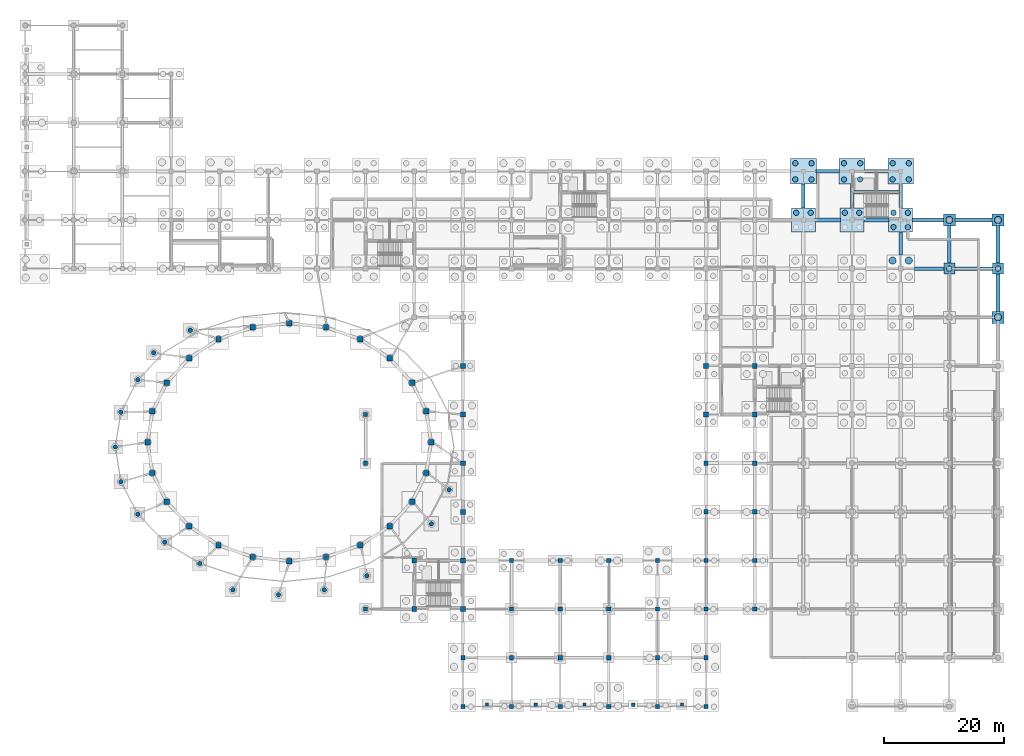
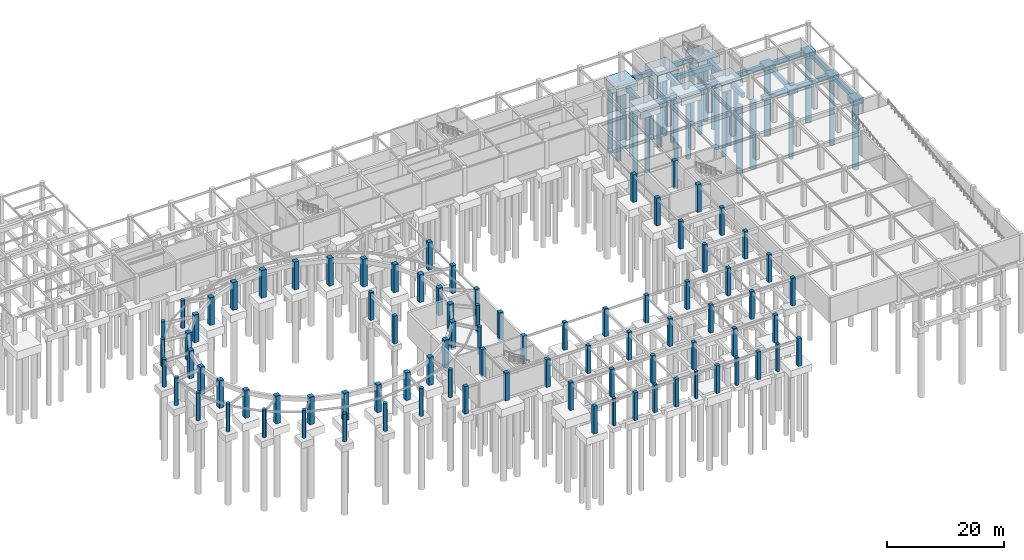
# One storey, part 8 of 26: 87 columns, 27 footings, 27 piles.
"""IFC4 building model written with IfcOpenShell, lengths in metres."""

from ifc_helpers import new_model, si_unit, direction, frame, origin, origin_2d, place, context, subcontext, project, spatial, rectangle, circle, extrude, material, material_profile, profile_set, type_object, element, save


model = new_model("IFC4")

# Units and contexts
model_context = context("Model", 3, precision=1e-05, world=origin(), true_north=direction((0.0, 1.0)))
body_context = subcontext(model_context, "Body", "Model", "MODEL_VIEW")
ifc_project = project(units=[si_unit("LENGTHUNIT", "METRE"), si_unit("AREAUNIT", "SQUARE_METRE"), si_unit("VOLUMEUNIT", "CUBIC_METRE"), si_unit("PLANEANGLEUNIT", "RADIAN"), si_unit("MASSUNIT", "GRAM", prefix="KILO")], contexts=[model_context])

# Site, building, storey
site_placement = place(None, origin())
site = spatial("IfcSite", under=ifc_project, at=site_placement, CompositionType="ELEMENT")
building_placement = place(site_placement, origin())
building = spatial("IfcBuilding", under=site, at=building_placement, Name="Parian Resonance Hall", CompositionType="ELEMENT")
storey_placement = place(building_placement, frame((0.0, 0.0, -5.39990234375)))
storey = spatial("IfcBuildingStorey", under=building, at=storey_placement, Name="B1", CompositionType="ELEMENT", Elevation=-5.39990234375)

# Footings
ifc_material_1 = material(Name="Concrete C35/45", Category="concrete")
ifc_material_profile_1 = material_profile(ifc_material_1, rectangle(XDim=0.60009765625, YDim=0.89990234375, at=origin_2d()), Name="RC-GB-600x900")
ifc_profile_set_1 = profile_set([ifc_material_profile_1], Name="Concrete C35/45")
footing_type_1 = type_object("IfcFootingType", Name="GB-600x900", PredefinedType="FOOTING_BEAM", material=ifc_profile_set_1)
footing_1_placement = place(storey_placement, frame((131.56005859375, 81.0, -0.85009765625), z_axis=(1.0, 0.0, 0.0), x_axis=(0.0, 1.0, 0.0)))
element("IfcFooting", 1, at=footing_1_placement, inside=storey, type_object=footing_type_1, Name="Foundation tie beam B1-180", PredefinedType="FOOTING_BEAM", context=body_context, shape_type="SweptSolid", body=[
    extrude(rectangle(XDim=0.60009765625, YDim=0.89990234375, at=origin_2d()), origin(), (0.0, 0.0, 1.0), 4.179931640625),
])
footing_2_placement = place(storey_placement, frame((129.60009765625, 82.9599609375, -0.85009765625), z_axis=(0.0, 1.0, 0.0), x_axis=(-1.0, 0.0, 0.0)))
element("IfcFooting", 2, at=footing_2_placement, inside=storey, type_object=footing_type_1, Name="Foundation tie beam B1-181", PredefinedType="FOOTING_BEAM", context=body_context, shape_type="SweptSolid", body=[
    extrude(rectangle(XDim=0.60009765625, YDim=0.89990234375, at=origin_2d()), origin(), (0.0, 0.0, 1.0), 4.030029296875),
])
footing_3_placement = place(storey_placement, frame((131.7099609375, 89.10009765625, -0.85009765625), z_axis=(1.0, 0.0, 0.0), x_axis=(0.0, 1.0, 0.0)))
element("IfcFooting", 3, at=footing_3_placement, inside=storey, type_object=footing_type_1, Name="Foundation tie beam B1-182", PredefinedType="FOOTING_BEAM", context=body_context, shape_type="SweptSolid", body=[
    extrude(rectangle(XDim=0.60009765625, YDim=0.89990234375, at=origin_2d()), origin(), (0.0, 0.0, 1.0), 3.880126953125),
])
footing_4_placement = place(storey_placement, frame((139.659912109375, 81.0, -0.85009765625), z_axis=(1.0, 0.0, 0.0), x_axis=(0.0, 1.0, 0.0)))
element("IfcFooting", 4, at=footing_4_placement, inside=storey, type_object=footing_type_1, Name="Foundation tie beam B1-202", PredefinedType="FOOTING_BEAM", context=body_context, shape_type="SweptSolid", body=[
    extrude(rectangle(XDim=0.60009765625, YDim=0.89990234375, at=origin_2d()), origin(), (0.0, 0.0, 1.0), 4.18017578125),
])
footing_5_placement = place(storey_placement, frame((137.699951171875, 82.9599609375, -0.85009765625), z_axis=(0.0, 1.0, 0.0), x_axis=(-1.0, 0.0, 0.0)))
element("IfcFooting", 5, at=footing_5_placement, inside=storey, type_object=footing_type_1, Name="Foundation tie beam B1-203", PredefinedType="FOOTING_BEAM", context=body_context, shape_type="SweptSolid", body=[
    extrude(rectangle(XDim=0.60009765625, YDim=0.89990234375, at=origin_2d()), origin(), (0.0, 0.0, 1.0), 4.030029296875),
])
footing_6_placement = place(storey_placement, frame((139.81005859375, 89.10009765625, -0.85009765625), z_axis=(1.0, 0.0, 0.0), x_axis=(0.0, 1.0, 0.0)))
element("IfcFooting", 6, at=footing_6_placement, inside=storey, type_object=footing_type_1, Name="Foundation tie beam B1-204", PredefinedType="FOOTING_BEAM", context=body_context, shape_type="SweptSolid", body=[
    extrude(rectangle(XDim=0.60009765625, YDim=0.89990234375, at=origin_2d()), origin(), (0.0, 0.0, 1.0), 3.8798828125),
])
footing_7_placement = place(storey_placement, frame((148.06005859375, 72.89990234375, -0.85009765625), z_axis=(1.0, 0.0, 0.0), x_axis=(0.0, 1.0, 0.0)))
element("IfcFooting", 7, at=footing_7_placement, inside=storey, type_object=footing_type_1, Name="Foundation tie beam B1-222", PredefinedType="FOOTING_BEAM", context=body_context, shape_type="SweptSolid", body=[
    extrude(rectangle(XDim=0.60009765625, YDim=0.89990234375, at=origin_2d()), origin(), (0.0, 0.0, 1.0), 4.97998046875),
])
footing_8_placement = place(storey_placement, frame((145.800048828125, 75.159912109375, -0.85009765625), z_axis=(0.0, 1.0, 0.0), x_axis=(-1.0, 0.0, 0.0)))
element("IfcFooting", 8, at=footing_8_placement, inside=storey, type_object=footing_type_1, Name="Foundation tie beam B1-223", PredefinedType="FOOTING_BEAM", context=body_context, shape_type="SweptSolid", body=[
    extrude(rectangle(XDim=0.60009765625, YDim=0.89990234375, at=origin_2d()), origin(), (0.0, 0.0, 1.0), 3.880126953125),
])
footing_9_placement = place(storey_placement, frame((147.760009765625, 81.0, -0.85009765625), z_axis=(1.0, 0.0, 0.0), x_axis=(0.0, 1.0, 0.0)))
element("IfcFooting", 9, at=footing_9_placement, inside=storey, type_object=footing_type_1, Name="Foundation tie beam B1-224", PredefinedType="FOOTING_BEAM", context=body_context, shape_type="SweptSolid", body=[
    extrude(rectangle(XDim=0.60009765625, YDim=0.89990234375, at=origin_2d()), origin(), (0.0, 0.0, 1.0), 5.179931640625),
])
footing_10_placement = place(storey_placement, frame((145.800048828125, 82.9599609375, -0.85009765625), z_axis=(0.0, 1.0, 0.0), x_axis=(-1.0, 0.0, 0.0)))
element("IfcFooting", 10, at=footing_10_placement, inside=storey, type_object=footing_type_1, Name="Foundation tie beam B1-225", PredefinedType="FOOTING_BEAM", context=body_context, shape_type="SweptSolid", body=[
    extrude(rectangle(XDim=0.60009765625, YDim=0.89990234375, at=origin_2d()), origin(), (0.0, 0.0, 1.0), 4.030029296875),
])
footing_11_placement = place(storey_placement, frame((154.760009765625, 72.89990234375, -0.85009765625), z_axis=(1.0, 0.0, 0.0), x_axis=(0.0, 1.0, 0.0)))
element("IfcFooting", 11, at=footing_11_placement, inside=storey, type_object=footing_type_1, Name="Foundation tie beam B1-242", PredefinedType="FOOTING_BEAM", context=body_context, shape_type="SweptSolid", body=[
    extrude(rectangle(XDim=0.60009765625, YDim=0.89990234375, at=origin_2d()), origin(), (0.0, 0.0, 1.0), 6.3798828125),
])
footing_12_placement = place(storey_placement, frame((153.89990234375, 73.760009765625, -0.85009765625), z_axis=(0.0, 1.0, 0.0), x_axis=(-1.0, 0.0, 0.0)))
element("IfcFooting", 12, at=footing_12_placement, inside=storey, type_object=footing_type_1, Name="Foundation tie beam B1-243", PredefinedType="FOOTING_BEAM", context=body_context, shape_type="SweptSolid", body=[
    extrude(rectangle(XDim=0.60009765625, YDim=0.89990234375, at=origin_2d()), origin(), (0.0, 0.0, 1.0), 6.280029296875),
])
footing_13_placement = place(storey_placement, frame((154.860107421875, 81.0, -0.85009765625), z_axis=(1.0, 0.0, 0.0), x_axis=(0.0, 1.0, 0.0)))
element("IfcFooting", 13, at=footing_13_placement, inside=storey, type_object=footing_type_1, Name="Foundation tie beam B1-244", PredefinedType="FOOTING_BEAM", context=body_context, shape_type="SweptSolid", body=[
    extrude(rectangle(XDim=0.60009765625, YDim=0.89990234375, at=origin_2d()), origin(), (0.0, 0.0, 1.0), 6.179931640625),
])
for number, where, z_axis, x_axis, name in (
    (14, (162.0, 65.760009765625, -0.85009765625), (0.0, 1.0, 0.0), (-1.0, 0.0, 0.0), "Foundation tie beam B1-252"),
    (15, (162.0, 73.760009765625, -0.85009765625), (0.0, 1.0, 0.0), (-1.0, 0.0, 0.0), "Foundation tie beam B1-253"),
):
    element("IfcFooting", number, at=place(storey_placement, frame(where, z_axis=z_axis, x_axis=x_axis)), inside=storey, type_object=footing_type_1, Name=name, PredefinedType="FOOTING_BEAM", context=body_context, shape_type="SweptSolid", body=[
        extrude(rectangle(XDim=0.60009765625, YDim=0.89990234375, at=origin_2d()), origin(), (0.0, 0.0, 1.0), 6.280029296875),
    ])
footing_14_placement = place(storey_placement, frame((137.699951171875, 85.610107421875, -0.85009765625), z_axis=(1.0, 0.0, 0.0), x_axis=(0.0, 1.0, 0.0)))
element("IfcFooting", 16, at=footing_14_placement, inside=storey, type_object=footing_type_1, Name="Core K6 divider foundation beam", PredefinedType="FOOTING_BEAM", context=body_context, shape_type="SweptSolid", body=[
    extrude(rectangle(XDim=0.60009765625, YDim=0.89990234375, at=origin_2d()), origin(), (0.0, 0.0, 1.0), 8.10009765625),
])
ifc_material_2 = material(Name="Concrete C35/45", Category="concrete")
footing_type_2 = type_object("IfcFootingType", Name="PC-1P-1800", PredefinedType="PILE_CAP", material=ifc_material_2)
for number, where, z_axis, x_axis, name in (
    (17, (153.89990234375, 72.89990234375, -1.500244140625), (0.0, 0.0, 1.0), (1.0, 0.0, 0.0), "Pile cap G20-10"),
    (18, (162.0, 72.89990234375, -1.500244140625), (0.0, 0.0, 1.0), (1.0, 0.0, 0.0), "Pile cap G21-10"),
):
    element("IfcFooting", number, at=place(storey_placement, frame(where, z_axis=z_axis, x_axis=x_axis)), inside=storey, type_object=footing_type_2, Name=name, PredefinedType="PILE_CAP", context=body_context, shape_type="SweptSolid", body=[
        extrude(rectangle(XDim=1.800048828125, YDim=1.800048828125, at=origin_2d()), origin(), (0.0, 0.0, 1.0), 1.10009765625),
    ])
ifc_material_3 = material(Name="Concrete C35/45", Category="concrete")
footing_type_3 = type_object("IfcFootingType", Name="PC-1P-2000", PredefinedType="PILE_CAP", material=ifc_material_3)
for number, where, z_axis, x_axis, name in (
    (19, (153.89990234375, 81.0, -1.60009765625), (0.0, 0.0, 1.0), (1.0, 0.0, 0.0), "Pile cap G20-11"),
    (20, (162.0, 64.800048828125, -1.60009765625), (0.0, 0.0, 1.0), (1.0, 0.0, 0.0), "Pile cap G21-09"),
    (21, (162.0, 81.0, -1.60009765625), (0.0, 0.0, 1.0), (1.0, 0.0, 0.0), "Pile cap G21-11"),
):
    element("IfcFooting", number, at=place(storey_placement, frame(where, z_axis=z_axis, x_axis=x_axis)), inside=storey, type_object=footing_type_3, Name=name, PredefinedType="PILE_CAP", context=body_context, shape_type="SweptSolid", body=[
        extrude(rectangle(XDim=2.0, YDim=2.0, at=origin_2d()), origin(), (0.0, 0.0, 1.0), 1.199951171875),
    ])
ifc_material_4 = material(Name="Concrete C35/45", Category="concrete")
footing_type_4 = type_object("IfcFootingType", Name="PC-4P-4000x4000", PredefinedType="PILE_CAP", material=ifc_material_4)
for number, where, z_axis, x_axis, name in (
    (22, (129.60009765625, 81.0, -1.900146484375), (0.0, 0.0, 1.0), (1.0, 0.0, 0.0), "Pile cap G17-11"),
    (23, (137.699951171875, 81.0, -1.900146484375), (0.0, 0.0, 1.0), (1.0, 0.0, 0.0), "Pile cap G18-11"),
    (24, (145.800048828125, 81.0, -1.900146484375), (0.0, 0.0, 1.0), (1.0, 0.0, 0.0), "Pile cap G19-11"),
):
    element("IfcFooting", number, at=place(storey_placement, frame(where, z_axis=z_axis, x_axis=x_axis)), inside=storey, type_object=footing_type_4, Name=name, PredefinedType="PILE_CAP", context=body_context, shape_type="SweptSolid", body=[
        extrude(rectangle(XDim=4.0, YDim=4.0, at=origin_2d()), origin(), (0.0, 0.0, 1.0), 1.5),
    ])
ifc_material_5 = material(Name="Concrete C35/45", Category="concrete")
footing_type_5 = type_object("IfcFootingType", Name="PC-4P-4300x4300", PredefinedType="PILE_CAP", material=ifc_material_5)
for number, where, z_axis, x_axis, name in (
    (25, (129.60009765625, 89.10009765625, -1.9501953125), (0.0, 0.0, 1.0), (1.0, 0.0, 0.0), "Pile cap G17-12"),
    (26, (137.699951171875, 89.10009765625, -1.9501953125), (0.0, 0.0, 1.0), (1.0, 0.0, 0.0), "Pile cap G18-12"),
    (27, (145.800048828125, 89.10009765625, -1.9501953125), (0.0, 0.0, 1.0), (1.0, 0.0, 0.0), "Pile cap G19-12"),
):
    element("IfcFooting", number, at=place(storey_placement, frame(where, z_axis=z_axis, x_axis=x_axis)), inside=storey, type_object=footing_type_5, Name=name, PredefinedType="PILE_CAP", context=body_context, shape_type="SweptSolid", body=[
        extrude(rectangle(XDim=4.300048828125, YDim=4.300048828125, at=origin_2d()), origin(), (0.0, 0.0, 1.0), 1.550048828125),
    ])

# Piles
ifc_material_6 = material(Name="Concrete C35/45", Category="concrete")
ifc_material_profile_2 = material_profile(ifc_material_6, circle(Radius=0.60009765625, at=origin_2d()), Name="PILE-D1200")
ifc_profile_set_2 = profile_set([ifc_material_profile_2], Name="Concrete C35/45")
pile_type_1 = type_object("IfcPileType", Name="PILE-1200", PredefinedType="BORED", material=ifc_profile_set_2)
for number, where, z_axis, x_axis, name in (
    (28, (144.449951171875, 74.25, -1.900146484375), (0.0, 0.0, -1.0), (1.0, 0.0, 0.0), "Bored pile G19-10-2"),
    (29, (147.14990234375, 74.25, -1.900146484375), (0.0, 0.0, -1.0), (1.0, 0.0, 0.0), "Bored pile G19-10-4"),
    (30, (153.89990234375, 81.0, -1.5), (0.0, 0.0, -1.0), (1.0, 0.0, 0.0), "Bored pile G20-11-1"),
    (31, (162.0, 64.800048828125, -1.5), (0.0, 0.0, -1.0), (1.0, 0.0, 0.0), "Bored pile G21-09-1"),
    (32, (162.0, 81.0, -1.5), (0.0, 0.0, -1.0), (1.0, 0.0, 0.0), "Bored pile G21-11-1"),
):
    element("IfcPile", number, at=place(storey_placement, frame(where, z_axis=z_axis, x_axis=x_axis)), inside=storey, type_object=pile_type_1, Name=name, PredefinedType="BORED", context=body_context, shape_type="SweptSolid", body=[
        extrude(circle(Radius=0.60009765625, at=origin_2d()), origin(), (0.0, 0.0, 1.0), 14.0),
    ])
ifc_material_7 = material(Name="Concrete C35/45", Category="concrete")
ifc_material_profile_3 = material_profile(ifc_material_7, circle(Radius=0.449951171875, at=origin_2d()), Name="PILE-D900")
ifc_profile_set_3 = profile_set([ifc_material_profile_3], Name="Concrete C35/45")
pile_type_2 = type_object("IfcPileType", Name="PILE-900", PredefinedType="BORED", material=ifc_profile_set_3)
for number, where, z_axis, x_axis, name in (
    (33, (128.39990234375, 82.199951171875, -1.800048828125), (0.0, 0.0, -1.0), (1.0, 0.0, 0.0), "Bored pile G17-11-2"),
    (34, (130.800048828125, 82.199951171875, -1.800048828125), (0.0, 0.0, -1.0), (1.0, 0.0, 0.0), "Bored pile G17-11-4"),
    (35, (128.25, 87.75, -1.85009765625), (0.0, 0.0, -1.0), (1.0, 0.0, 0.0), "Bored pile G17-12-1"),
    (36, (128.25, 90.449951171875, -1.85009765625), (0.0, 0.0, -1.0), (1.0, 0.0, 0.0), "Bored pile G17-12-2"),
    (37, (130.949951171875, 87.75, -1.85009765625), (0.0, 0.0, -1.0), (1.0, 0.0, 0.0), "Bored pile G17-12-3"),
    (38, (130.949951171875, 90.449951171875, -1.85009765625), (0.0, 0.0, -1.0), (1.0, 0.0, 0.0), "Bored pile G17-12-4"),
    (39, (136.5, 82.199951171875, -1.800048828125), (0.0, 0.0, -1.0), (1.0, 0.0, 0.0), "Bored pile G18-11-2"),
    (40, (138.89990234375, 82.199951171875, -1.800048828125), (0.0, 0.0, -1.0), (1.0, 0.0, 0.0), "Bored pile G18-11-4"),
    (41, (136.35009765625, 87.75, -1.85009765625), (0.0, 0.0, -1.0), (1.0, 0.0, 0.0), "Bored pile G18-12-1"),
    (42, (136.35009765625, 90.449951171875, -1.85009765625), (0.0, 0.0, -1.0), (1.0, 0.0, 0.0), "Bored pile G18-12-2"),
    (43, (139.050048828125, 87.75, -1.85009765625), (0.0, 0.0, -1.0), (1.0, 0.0, 0.0), "Bored pile G18-12-3"),
    (44, (139.050048828125, 90.449951171875, -1.85009765625), (0.0, 0.0, -1.0), (1.0, 0.0, 0.0), "Bored pile G18-12-4"),
    (45, (144.60009765625, 79.800048828125, -1.800048828125), (0.0, 0.0, -1.0), (1.0, 0.0, 0.0), "Bored pile G19-11-1"),
    (46, (144.60009765625, 82.199951171875, -1.800048828125), (0.0, 0.0, -1.0), (1.0, 0.0, 0.0), "Bored pile G19-11-2"),
    (47, (147.0, 79.800048828125, -1.800048828125), (0.0, 0.0, -1.0), (1.0, 0.0, 0.0), "Bored pile G19-11-3"),
    (48, (147.0, 82.199951171875, -1.800048828125), (0.0, 0.0, -1.0), (1.0, 0.0, 0.0), "Bored pile G19-11-4"),
    (49, (144.449951171875, 87.75, -1.85009765625), (0.0, 0.0, -1.0), (1.0, 0.0, 0.0), "Bored pile G19-12-1"),
    (50, (144.449951171875, 90.449951171875, -1.85009765625), (0.0, 0.0, -1.0), (1.0, 0.0, 0.0), "Bored pile G19-12-2"),
    (51, (147.14990234375, 87.75, -1.85009765625), (0.0, 0.0, -1.0), (1.0, 0.0, 0.0), "Bored pile G19-12-3"),
    (52, (147.14990234375, 90.449951171875, -1.85009765625), (0.0, 0.0, -1.0), (1.0, 0.0, 0.0), "Bored pile G19-12-4"),
    (53, (153.89990234375, 72.89990234375, -1.400146484375), (0.0, 0.0, -1.0), (1.0, 0.0, 0.0), "Bored pile G20-10-1"),
    (54, (162.0, 72.89990234375, -1.400146484375), (0.0, 0.0, -1.0), (1.0, 0.0, 0.0), "Bored pile G21-10-1"),
):
    element("IfcPile", number, at=place(storey_placement, frame(where, z_axis=z_axis, x_axis=x_axis)), inside=storey, type_object=pile_type_2, Name=name, PredefinedType="BORED", context=body_context, shape_type="SweptSolid", body=[
        extrude(circle(Radius=0.449951171875, at=origin_2d()), origin(), (0.0, 0.0, 1.0), 14.0),
    ])

# Columns
ifc_material_8 = material(Name="Concrete C40/50", Category="concrete")
ifc_material_profile_4 = material_profile(ifc_material_8, rectangle(XDim=0.5, YDim=0.5, at=origin_2d()), Name="RC-COL-500x500")
ifc_profile_set_4 = profile_set([ifc_material_profile_4], Name="Concrete C40/50")
column_type_1 = type_object("IfcColumnType", Name="COL-PIL500", PredefinedType="PILASTER", material=ifc_profile_set_4)
for number, where, z_axis, x_axis, name in (
    (55, (76.949951171875, 0.300048828125, -0.400146484375), (0.0, 0.0, 1.0), (1.0, 0.0, 0.0), "Column PIL-S-09 B1"),
    (56, (93.14990234375, 0.300048828125, -0.400146484375), (0.0, 0.0, 1.0), (1.0, 0.0, 0.0), "Column PIL-S-11 B1"),
    (57, (109.35009765625, 0.300048828125, -0.400146484375), (0.0, 0.0, 1.0), (1.0, 0.0, 0.0), "Column PIL-S-13 B1"),
):
    element("IfcColumn", number, at=place(storey_placement, frame(where, z_axis=z_axis, x_axis=x_axis)), inside=storey, type_object=column_type_1, Name=name, PredefinedType="PILASTER", context=body_context, shape_type="SweptSolid", body=[
        extrude(rectangle(XDim=0.5, YDim=0.5, at=origin_2d()), origin(), (0.0, 0.0, 1.0), 5.800048828125),
    ])
ifc_material_9 = material(Name="Concrete C40/50", Category="concrete")
ifc_material_profile_5 = material_profile(ifc_material_9, rectangle(XDim=0.60009765625, YDim=0.60009765625, at=origin_2d()), Name="RC-COL-600x600")
ifc_profile_set_5 = profile_set([ifc_material_profile_5], Name="Concrete C40/50")
column_type_2 = type_object("IfcColumnType", Name="COL-PIL600", PredefinedType="PILASTER", material=ifc_profile_set_5)
for number, where, z_axis, x_axis, name in (
    (58, (85.050048828125, 0.300048828125, -0.400146484375), (0.0, 0.0, 1.0), (1.0, 0.0, 0.0), "Column PIL-S-10 B1"),
    (59, (101.25, 0.300048828125, -0.400146484375), (0.0, 0.0, 1.0), (1.0, 0.0, 0.0), "Column PIL-S-12 B1"),
):
    element("IfcColumn", number, at=place(storey_placement, frame(where, z_axis=z_axis, x_axis=x_axis)), inside=storey, type_object=column_type_2, Name=name, PredefinedType="PILASTER", context=body_context, shape_type="SweptSolid", body=[
        extrude(rectangle(XDim=0.60009765625, YDim=0.60009765625, at=origin_2d()), origin(), (0.0, 0.0, 1.0), 5.800048828125),
    ])
ifc_material_10 = material(Name="Concrete C40/50", Category="concrete")
ifc_material_profile_6 = material_profile(ifc_material_10, rectangle(XDim=0.699951171875, YDim=0.699951171875, at=origin_2d()), Name="RC-COL-700x700")
ifc_profile_set_6 = profile_set([ifc_material_profile_6], Name="Concrete C40/50")
column_type_3 = type_object("IfcColumnType", Name="COL-RC700", PredefinedType="COLUMN", material=ifc_profile_set_6)
for number, where, z_axis, x_axis, name in (
    (60, (56.699951171875, 16.199951171875, -0.400146484375), (0.0, 0.0, 1.0), (1.0, 0.0, 0.0), "Column G08-03 B1"),
    (61, (56.699951171875, 40.5, -0.400146484375), (0.0, 0.0, 1.0), (1.0, 0.0, 0.0), "Column G08-06 B1"),
    (62, (56.699951171875, 48.60009765625, -0.400146484375), (0.0, 0.0, 1.0), (1.0, 0.0, 0.0), "Column G08-07 B1"),
    (63, (72.89990234375, 0.0, -0.400146484375), (0.0, 0.0, 1.0), (1.0, 0.0, 0.0), "Column G10-01 B1"),
    (64, (72.89990234375, 8.10009765625, -0.400146484375), (0.0, 0.0, 1.0), (1.0, 0.0, 0.0), "Column G10-02 B1"),
    (65, (81.0, 0.0, -0.400146484375), (0.0, 0.0, 1.0), (1.0, 0.0, 0.0), "Column G11-01 B1"),
    (66, (81.0, 8.10009765625, -0.400146484375), (0.0, 0.0, 1.0), (1.0, 0.0, 0.0), "Column G11-02 B1"),
    (67, (81.0, 16.199951171875, -0.400146484375), (0.0, 0.0, 1.0), (1.0, 0.0, 0.0), "Column G11-03 B1"),
    (68, (81.0, 24.300048828125, -0.400146484375), (0.0, 0.0, 1.0), (1.0, 0.0, 0.0), "Column G11-04 B1"),
    (69, (89.10009765625, 0.0, -0.400146484375), (0.0, 0.0, 1.0), (1.0, 0.0, 0.0), "Column G12-01 B1"),
    (70, (89.10009765625, 8.10009765625, -0.400146484375), (0.0, 0.0, 1.0), (1.0, 0.0, 0.0), "Column G12-02 B1"),
    (71, (89.10009765625, 16.199951171875, -0.400146484375), (0.0, 0.0, 1.0), (1.0, 0.0, 0.0), "Column G12-03 B1"),
    (72, (89.10009765625, 24.300048828125, -0.400146484375), (0.0, 0.0, 1.0), (1.0, 0.0, 0.0), "Column G12-04 B1"),
    (73, (97.199951171875, 0.0, -0.400146484375), (0.0, 0.0, 1.0), (1.0, 0.0, 0.0), "Column G13-01 B1"),
    (74, (97.199951171875, 8.10009765625, -0.400146484375), (0.0, 0.0, 1.0), (1.0, 0.0, 0.0), "Column G13-02 B1"),
    (75, (97.199951171875, 16.199951171875, -0.400146484375), (0.0, 0.0, 1.0), (1.0, 0.0, 0.0), "Column G13-03 B1"),
    (76, (97.199951171875, 24.300048828125, -0.400146484375), (0.0, 0.0, 1.0), (1.0, 0.0, 0.0), "Column G13-04 B1"),
    (77, (105.300048828125, 0.0, -0.400146484375), (0.0, 0.0, 1.0), (1.0, 0.0, 0.0), "Column G14-01 B1"),
    (78, (105.300048828125, 8.10009765625, -0.400146484375), (0.0, 0.0, 1.0), (1.0, 0.0, 0.0), "Column G14-02 B1"),
    (79, (105.300048828125, 16.199951171875, -0.400146484375), (0.0, 0.0, 1.0), (1.0, 0.0, 0.0), "Column G14-03 B1"),
    (80, (105.300048828125, 24.300048828125, -0.400146484375), (0.0, 0.0, 1.0), (1.0, 0.0, 0.0), "Column G14-04 B1"),
    (81, (113.39990234375, 0.0, -0.400146484375), (0.0, 0.0, 1.0), (1.0, 0.0, 0.0), "Column G15-01 B1"),
    (82, (113.39990234375, 8.10009765625, -0.400146484375), (0.0, 0.0, 1.0), (1.0, 0.0, 0.0), "Column G15-02 B1"),
    (83, (113.39990234375, 16.199951171875, -0.400146484375), (0.0, 0.0, 1.0), (1.0, 0.0, 0.0), "Column G15-03 B1"),
    (84, (113.39990234375, 24.300048828125, -0.400146484375), (0.0, 0.0, 1.0), (1.0, 0.0, 0.0), "Column G15-04 B1"),
    (85, (113.39990234375, 32.39990234375, -0.400146484375), (0.0, 0.0, 1.0), (1.0, 0.0, 0.0), "Column G15-05 B1"),
    (86, (113.39990234375, 40.5, -0.400146484375), (0.0, 0.0, 1.0), (1.0, 0.0, 0.0), "Column G15-06 B1"),
    (87, (121.5, 16.199951171875, -0.400146484375), (0.0, 0.0, 1.0), (1.0, 0.0, 0.0), "Column G16-03 B1"),
    (88, (121.5, 24.300048828125, -0.400146484375), (0.0, 0.0, 1.0), (1.0, 0.0, 0.0), "Column G16-04 B1"),
    (89, (121.5, 32.39990234375, -0.400146484375), (0.0, 0.0, 1.0), (1.0, 0.0, 0.0), "Column G16-05 B1"),
    (90, (121.5, 40.5, -0.400146484375), (0.0, 0.0, 1.0), (1.0, 0.0, 0.0), "Column G16-06 B1"),
):
    element("IfcColumn", number, at=place(storey_placement, frame(where, z_axis=z_axis, x_axis=x_axis)), inside=storey, type_object=column_type_3, Name=name, PredefinedType="COLUMN", context=body_context, shape_type="SweptSolid", body=[
        extrude(rectangle(XDim=0.699951171875, YDim=0.699951171875, at=origin_2d()), origin(), (0.0, 0.0, 1.0), 5.800048828125),
    ])
ifc_material_11 = material(Name="Concrete C40/50", Category="concrete")
ifc_material_profile_7 = material_profile(ifc_material_11, rectangle(XDim=0.800048828125, YDim=0.800048828125, at=origin_2d()), Name="RC-COL-800x800")
ifc_profile_set_7 = profile_set([ifc_material_profile_7], Name="Concrete C40/50")
column_type_4 = type_object("IfcColumnType", Name="COL-RC800", PredefinedType="COLUMN", material=ifc_profile_set_7)
for number, where, z_axis, x_axis, name in (
    (91, (64.800048828125, 16.199951171875, -0.400146484375), (0.0, 0.0, 1.0), (1.0, 0.0, 0.0), "Column G09-03 B1"),
    (92, (64.800048828125, 24.300048828125, -0.400146484375), (0.0, 0.0, 1.0), (1.0, 0.0, 0.0), "Column G09-04 B1"),
    (93, (72.89990234375, 16.199951171875, -0.400146484375), (0.0, 0.0, 1.0), (1.0, 0.0, 0.0), "Column G10-03 B1"),
    (94, (72.89990234375, 24.300048828125, -0.400146484375), (0.0, 0.0, 1.0), (1.0, 0.0, 0.0), "Column G10-04 B1"),
    (95, (72.89990234375, 32.39990234375, -0.400146484375), (0.0, 0.0, 1.0), (1.0, 0.0, 0.0), "Column G10-05 B1"),
    (96, (72.89990234375, 40.5, -0.400146484375), (0.0, 0.0, 1.0), (1.0, 0.0, 0.0), "Column G10-06 B1"),
    (97, (72.89990234375, 48.60009765625, -0.400146484375), (0.0, 0.0, 1.0), (1.0, 0.0, 0.0), "Column G10-07 B1"),
    (98, (72.89990234375, 56.699951171875, -0.400146484375), (0.0, 0.0, 1.0), (1.0, 0.0, 0.0), "Column G10-08 B1"),
    (99, (113.39990234375, 48.60009765625, -0.400146484375), (0.0, 0.0, 1.0), (1.0, 0.0, 0.0), "Column G15-07 B1"),
    (100, (113.39990234375, 56.699951171875, -0.400146484375), (0.0, 0.0, 1.0), (1.0, 0.0, 0.0), "Column G15-08 B1"),
    (101, (121.5, 48.60009765625, -0.400146484375), (0.0, 0.0, 1.0), (1.0, 0.0, 0.0), "Column G16-07 B1"),
    (102, (121.5, 56.699951171875, -0.400146484375), (0.0, 0.0, 1.0), (1.0, 0.0, 0.0), "Column G16-08 B1"),
):
    element("IfcColumn", number, at=place(storey_placement, frame(where, z_axis=z_axis, x_axis=x_axis)), inside=storey, type_object=column_type_4, Name=name, PredefinedType="COLUMN", context=body_context, shape_type="SweptSolid", body=[
        extrude(rectangle(XDim=0.800048828125, YDim=0.800048828125, at=origin_2d()), origin(), (0.0, 0.0, 1.0), 5.800048828125),
    ])
ifc_material_12 = material(Name="Concrete C40/50", Category="concrete")
ifc_material_profile_8 = material_profile(ifc_material_12, rectangle(XDim=0.89990234375, YDim=0.89990234375, at=origin_2d()), Name="RC-COL-900x900")
ifc_profile_set_8 = profile_set([ifc_material_profile_8], Name="Concrete C40/50")
column_type_5 = type_object("IfcColumnType", Name="COL-RC900", PredefinedType="COLUMN", material=ifc_profile_set_8)
for number, where, z_axis, x_axis, name in (
    (103, (67.60009765625, 44.0, -0.400146484375), (0.0, 0.0, 1.0), (1.0, 0.0, 0.0), "Column DRM-01 B1"),
    (104, (66.7958984375, 49.12451171875, -0.400146484375), (0.0, 0.0, 1.0), (1.0, 0.0, 0.0), "Column DRM-02 B1"),
    (105, (64.438232421875, 53.89990234375, -0.400146484375), (0.0, 0.0, 1.0), (1.0, 0.0, 0.0), "Column DRM-03 B1"),
    (106, (60.687744140625, 58.000732421875, -0.400146484375), (0.0, 0.0, 1.0), (1.0, 0.0, 0.0), "Column DRM-04 B1"),
    (107, (55.800048828125, 61.147216796875, -0.400146484375), (0.0, 0.0, 1.0), (1.0, 0.0, 0.0), "Column DRM-05 B1"),
    (108, (50.108154296875, 63.125244140625, -0.400146484375), (0.0, 0.0, 1.0), (1.0, 0.0, 0.0), "Column DRM-06 B1"),
    (109, (44.0, 63.800048828125, -0.400146484375), (0.0, 0.0, 1.0), (1.0, 0.0, 0.0), "Column DRM-07 B1"),
    (110, (37.891845703125, 63.125244140625, -0.400146484375), (0.0, 0.0, 1.0), (1.0, 0.0, 0.0), "Column DRM-08 B1"),
    (111, (32.199951171875, 61.147216796875, -0.400146484375), (0.0, 0.0, 1.0), (1.0, 0.0, 0.0), "Column DRM-09 B1"),
    (112, (27.312255859375, 58.000732421875, -0.400146484375), (0.0, 0.0, 1.0), (1.0, 0.0, 0.0), "Column DRM-10 B1"),
    (113, (23.561767578125, 53.89990234375, -0.400146484375), (0.0, 0.0, 1.0), (1.0, 0.0, 0.0), "Column DRM-11 B1"),
    (114, (21.2041015625, 49.12451171875, -0.400146484375), (0.0, 0.0, 1.0), (1.0, 0.0, 0.0), "Column DRM-12 B1"),
    (115, (20.39990234375, 44.0, -0.400146484375), (0.0, 0.0, 1.0), (1.0, 0.0, 0.0), "Column DRM-13 B1"),
    (116, (21.2041015625, 38.87548828125, -0.400146484375), (0.0, 0.0, 1.0), (1.0, 0.0, 0.0), "Column DRM-14 B1"),
    (117, (23.561767578125, 34.10009765625, -0.400146484375), (0.0, 0.0, 1.0), (1.0, 0.0, 0.0), "Column DRM-15 B1"),
    (118, (27.312255859375, 29.999267578125, -0.400146484375), (0.0, 0.0, 1.0), (1.0, 0.0, 0.0), "Column DRM-16 B1"),
    (119, (32.199951171875, 26.852783203125, -0.400146484375), (0.0, 0.0, 1.0), (1.0, 0.0, 0.0), "Column DRM-17 B1"),
    (120, (37.891845703125, 24.874755859375, -0.400146484375), (0.0, 0.0, 1.0), (1.0, 0.0, 0.0), "Column DRM-18 B1"),
    (121, (44.0, 24.199951171875, -0.400146484375), (0.0, 0.0, 1.0), (1.0, 0.0, 0.0), "Column DRM-19 B1"),
    (122, (50.108154296875, 24.874755859375, -0.400146484375), (0.0, 0.0, 1.0), (1.0, 0.0, 0.0), "Column DRM-20 B1"),
    (123, (55.800048828125, 26.852783203125, -0.400146484375), (0.0, 0.0, 1.0), (1.0, 0.0, 0.0), "Column DRM-21 B1"),
    (124, (60.687744140625, 29.999267578125, -0.400146484375), (0.0, 0.0, 1.0), (1.0, 0.0, 0.0), "Column DRM-22 B1"),
    (125, (64.438232421875, 34.10009765625, -0.400146484375), (0.0, 0.0, 1.0), (1.0, 0.0, 0.0), "Column DRM-23 B1"),
    (126, (66.7958984375, 38.87548828125, -0.400146484375), (0.0, 0.0, 1.0), (1.0, 0.0, 0.0), "Column DRM-24 B1"),
):
    element("IfcColumn", number, at=place(storey_placement, frame(where, z_axis=z_axis, x_axis=x_axis)), inside=storey, type_object=column_type_5, Name=name, PredefinedType="COLUMN", context=body_context, shape_type="SweptSolid", body=[
        extrude(rectangle(XDim=0.89990234375, YDim=0.89990234375, at=origin_2d()), origin(), (0.0, 0.0, 1.0), 5.800048828125),
    ])
ifc_material_13 = material(Name="Concrete C40/50", Category="concrete")
ifc_material_profile_9 = material_profile(ifc_material_13, circle(Radius=0.375, at=origin_2d()), Name="RC-COL-D750")
ifc_profile_set_9 = profile_set([ifc_material_profile_9], Name="Concrete C40/50")
column_type_6 = type_object("IfcColumnType", Name="COL-RCD750", PredefinedType="COLUMN", material=ifc_profile_set_9)
for number, where, z_axis, x_axis, name in (
    (127, (27.5, 62.63818359375, -0.400146484375), (0.0, 0.0, 1.0), (1.0, 0.0, 0.0), "Column RNG-09 B1"),
    (128, (21.4111328125, 58.8876953125, -0.400146484375), (0.0, 0.0, 1.0), (1.0, 0.0, 0.0), "Column RNG-10 B1"),
    (129, (18.778076171875, 54.39990234375, -0.400146484375), (0.0, 0.0, 1.0), (1.0, 0.0, 0.0), "Column RNG-11 B1"),
    (130, (15.9609375, 48.99755859375, -0.400146484375), (0.0, 0.0, 1.0), (1.0, 0.0, 0.0), "Column RNG-12 B1"),
    (131, (15.0, 43.199951171875, -0.400146484375), (0.0, 0.0, 1.0), (1.0, 0.0, 0.0), "Column RNG-13 B1"),
    (132, (15.9609375, 37.402587890625, -0.400146484375), (0.0, 0.0, 1.0), (1.0, 0.0, 0.0), "Column RNG-14 B1"),
    (133, (18.778076171875, 32.0, -0.400146484375), (0.0, 0.0, 1.0), (1.0, 0.0, 0.0), "Column RNG-15 B1"),
    (134, (23.259521484375, 27.36083984375, -0.400146484375), (0.0, 0.0, 1.0), (1.0, 0.0, 0.0), "Column RNG-16 B1"),
    (135, (29.10009765625, 23.801025390625, -0.400146484375), (0.0, 0.0, 1.0), (1.0, 0.0, 0.0), "Column RNG-17 B1"),
    (136, (34.5908203125, 19.404296875, -0.400146484375), (0.0, 0.0, 1.0), (1.0, 0.0, 0.0), "Column RNG-18 B1"),
    (137, (42.199951171875, 18.60009765625, -0.400146484375), (0.0, 0.0, 1.0), (1.0, 0.0, 0.0), "Column RNG-19 B1"),
    (138, (49.809326171875, 19.404296875, -0.400146484375), (0.0, 0.0, 1.0), (1.0, 0.0, 0.0), "Column RNG-20 B1"),
    (139, (56.89990234375, 21.76171875, -0.400146484375), (0.0, 0.0, 1.0), (1.0, 0.0, 0.0), "Column RNG-21 B1"),
    (140, (67.6611328125, 30.39990234375, -0.400146484375), (0.0, 0.0, 1.0), (1.0, 0.0, 0.0), "Column RNG-23 B1"),
    (141, (70.59814453125, 36.091796875, -0.400146484375), (0.0, 0.0, 1.0), (1.0, 0.0, 0.0), "Column RNG-24 B1"),
):
    element("IfcColumn", number, at=place(storey_placement, frame(where, z_axis=z_axis, x_axis=x_axis)), inside=storey, type_object=column_type_6, Name=name, PredefinedType="COLUMN", context=body_context, shape_type="SweptSolid", body=[
        extrude(circle(Radius=0.375, at=origin_2d()), origin(), (0.0, 0.0, 1.0), 5.800048828125),
    ])

save(model, "model.ifc")
